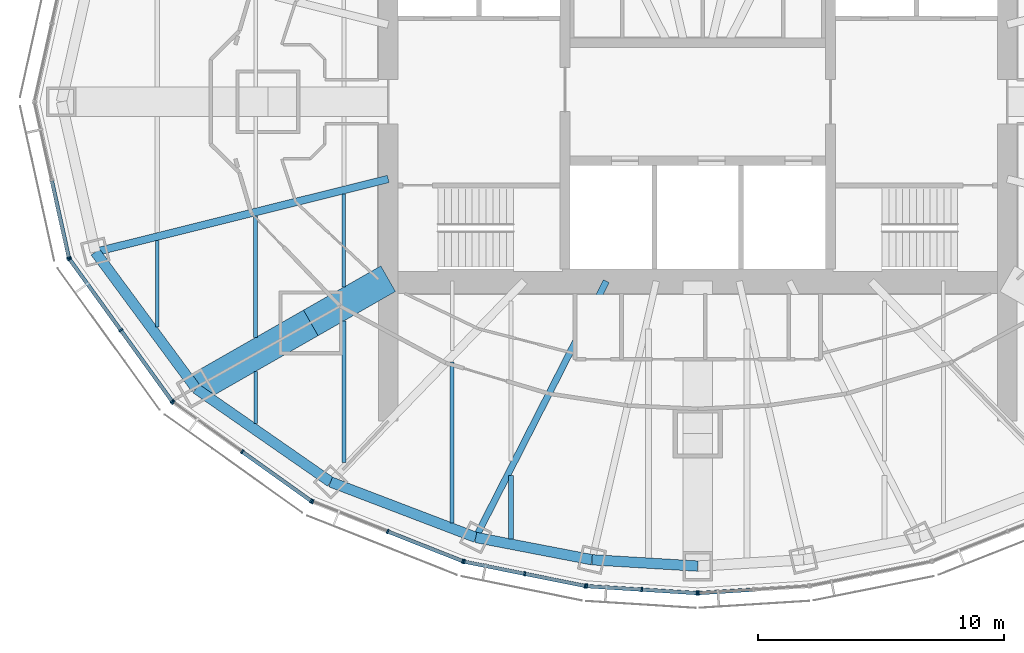
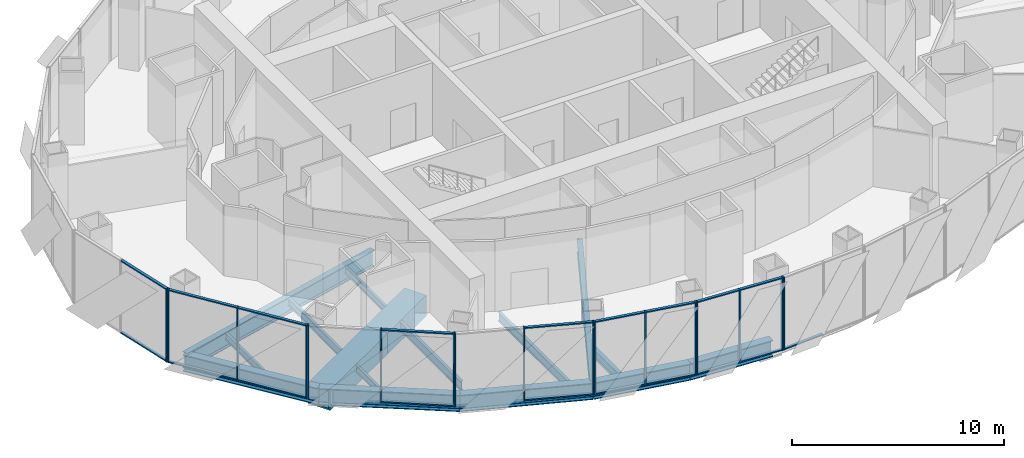
# One storey, part 2 of 17: 36 members, 16 beams, 7 elements without a shape of their own.
"""IFC4 building model written with IfcOpenShell, lengths in metres."""

from ifc_helpers import new_model, si_unit, direction, frame, origin, origin_2d, place, context, subcontext, project, spatial, rectangle, hollow_rectangle, i_section, extrude, material, material_profile, profile_set, type_object, element, aggregate, save


model = new_model("IFC4")

# Units and contexts
model_context = context("Model", 3, precision=1e-05, world=origin(), true_north=direction((0.0, 1.0)))
body_context = subcontext(model_context, "Body", "Model", "MODEL_VIEW")
ifc_project = project(units=[si_unit("LENGTHUNIT", "METRE"), si_unit("AREAUNIT", "SQUARE_METRE"), si_unit("VOLUMEUNIT", "CUBIC_METRE"), si_unit("PLANEANGLEUNIT", "RADIAN"), si_unit("MASSUNIT", "GRAM", prefix="KILO")], contexts=[model_context])

# Site, building, storey
site_placement = place(None, origin())
site = spatial("IfcSite", under=ifc_project, at=site_placement, CompositionType="ELEMENT")
building_placement = place(site_placement, origin())
building = spatial("IfcBuilding", under=site, at=building_placement, Name="Lantaw Convention Tower", CompositionType="ELEMENT")
storey_placement = place(building_placement, frame((0.0, 0.0, 203.199951171875)))
storey = spatial("IfcBuildingStorey", under=building, at=storey_placement, Name="L47", CompositionType="ELEMENT", Elevation=203.199951171875)

# Beams
ifc_material_1 = material(Name="Steel ASTM A992", Category="steel")
ifc_material_profile_1 = material_profile(ifc_material_1, i_section(OverallWidth=0.424072265625, OverallDepth=0.947509765625, WebThickness=0.02392578125, FlangeThickness=0.042724609375, FilletRadius=0.012451171875, at=origin_2d()), Name="W36X302")
ifc_profile_set_1 = profile_set([ifc_material_profile_1], Name="Steel ASTM A992")
beam_type_1 = type_object("IfcBeamType", Name="Beam BC W36X302", PredefinedType="SPANDREL", material=ifc_profile_set_1)
beam_1_placement = place(storey_placement, frame((-24.52197265625, -6.114013671875, -0.623779296875), z_axis=(0.593639188853, -0.804731329984, 0.0), x_axis=(0.804731329984, 0.593639188853, 0.0)))
element("IfcBeam", 1, at=beam_1_placement, inside=storey, type_object=beam_type_1, Name="Belt truss chord 14", PredefinedType="SPANDREL", context=body_context, shape_type="SweptSolid", body=[
    extrude(i_section(OverallWidth=0.424072265625, OverallDepth=0.947509765625, WebThickness=0.02392578125, FlangeThickness=0.042724609375, FilletRadius=0.012451171875, at=origin_2d()), origin(), (0.0, 0.0, 1.0), 6.904541015625),
])
beam_2_placement = place(storey_placement, frame((-20.423095703125, -11.67041015625, -0.623779296875), z_axis=(0.82135329406, -0.570419815869, 0.0), x_axis=(0.570419815869, 0.82135329406, 0.0)))
element("IfcBeam", 2, at=beam_2_placement, inside=storey, type_object=beam_type_1, Name="Belt truss chord 15", PredefinedType="SPANDREL", context=body_context, shape_type="SweptSolid", body=[
    extrude(i_section(OverallWidth=0.424072265625, OverallDepth=0.947509765625, WebThickness=0.02392578125, FlangeThickness=0.042724609375, FilletRadius=0.012451171875, at=origin_2d()), origin(), (0.0, 0.0, 1.0), 6.67041015625),
])
beam_3_placement = place(storey_placement, frame((-14.9443359375, -15.475341796875, -0.623779296875), z_axis=(0.934234988, -0.356658081637, 0.0), x_axis=(0.356658081637, 0.934234988, 0.0)))
element("IfcBeam", 3, at=beam_3_placement, inside=storey, type_object=beam_type_1, Name="Belt truss chord 16", PredefinedType="SPANDREL", context=body_context, shape_type="SweptSolid", body=[
    extrude(i_section(OverallWidth=0.424072265625, OverallDepth=0.947509765625, WebThickness=0.02392578125, FlangeThickness=0.042724609375, FilletRadius=0.012451171875, at=origin_2d()), origin(), (0.0, 0.0, 1.0), 6.32568359375),
])
beam_4_placement = place(storey_placement, frame((-9.03466796875, -17.7314453125, -0.623779296875), z_axis=(0.981972091702, -0.189025953556, 0.0), x_axis=(0.189025953556, 0.981972091702, 0.0)))
element("IfcBeam", 4, at=beam_4_placement, inside=storey, type_object=beam_type_1, Name="Belt truss chord 17", PredefinedType="SPANDREL", context=body_context, shape_type="SweptSolid", body=[
    extrude(i_section(OverallWidth=0.424072265625, OverallDepth=0.947509765625, WebThickness=0.02392578125, FlangeThickness=0.042724609375, FilletRadius=0.012451171875, at=origin_2d()), origin(), (0.0, 0.0, 1.0), 4.817626953125),
])
beam_5_placement = place(storey_placement, frame((-4.303955078125, -18.64208984375, -0.623779296875), z_axis=(0.998210730897, -0.059794119452, 0.0), x_axis=(0.059794119452, 0.998210730897, 0.0)))
element("IfcBeam", 5, at=beam_5_placement, inside=storey, type_object=beam_type_1, Name="Belt truss chord 18", PredefinedType="SPANDREL", context=body_context, shape_type="SweptSolid", body=[
    extrude(i_section(OverallWidth=0.424072265625, OverallDepth=0.947509765625, WebThickness=0.02392578125, FlangeThickness=0.042724609375, FilletRadius=0.012451171875, at=origin_2d()), origin(), (0.0, 0.0, 1.0), 4.311767578125),
])
ifc_material_2 = material(Name="Steel EN 10025-3 S460N", Category="steel")
ifc_material_profile_2 = material_profile(ifc_material_2, hollow_rectangle(XDim=1.199951171875, YDim=1.199951171875, WallThickness=0.10009765625, at=origin_2d()), Name="BOX1200X100")
ifc_profile_set_2 = profile_set([ifc_material_profile_2], Name="Steel EN 10025-3 S460N")
beam_type_2 = type_object("IfcBeamType", Name="Beam G BOX1200X100", PredefinedType="BEAM", material=ifc_profile_set_2)
beam_6_placement = place(storey_placement, frame((-15.75, -9.0, -0.75), z_axis=(-0.868237559289, -0.496148708192, 0.0), x_axis=(0.496148708192, -0.868237559289, 0.0)))
element("IfcBeam", 6, at=beam_6_placement, inside=storey, type_object=beam_type_2, Name="Floor girder on ray 15", PredefinedType="BEAM", context=body_context, shape_type="SweptSolid", body=[
    extrude(hollow_rectangle(XDim=1.199951171875, YDim=1.199951171875, WallThickness=0.10009765625, at=origin_2d()), origin(), (0.0, 0.0, 1.0), 5.38232421875),
])
ifc_material_profile_3 = material_profile(ifc_material_1, i_section(OverallWidth=0.2666015625, OverallDepth=0.7568359375, WebThickness=0.013916015625, FlangeThickness=0.019287109375, FilletRadius=0.0126953125, at=origin_2d()), Name="W30X108")
ifc_profile_set_3 = profile_set([ifc_material_profile_3], Name="Steel ASTM A992")
beam_type_3 = type_object("IfcBeamType", Name="Beam G W30X108", PredefinedType="BEAM", material=ifc_profile_set_3)
beam_7_placement = place(storey_placement, frame((-3.719482421875, -7.300048828125, -0.5283203125), z_axis=(-0.4539988787, -0.891002254845, 0.0), x_axis=(0.891002254845, -0.4539988787, 0.0)))
element("IfcBeam", 7, at=beam_7_placement, inside=storey, type_object=beam_type_3, Name="Floor girder on ray 17", PredefinedType="BEAM", context=body_context, shape_type="SweptSolid", body=[
    extrude(i_section(OverallWidth=0.2666015625, OverallDepth=0.7568359375, WebThickness=0.013916015625, FlangeThickness=0.019287109375, FilletRadius=0.0126953125, at=origin_2d()), origin(), (0.0, 0.0, 1.0), 11.70751953125),
])
ifc_material_profile_4 = material_profile(ifc_material_1, i_section(OverallWidth=0.307373046875, OverallDepth=0.9423828125, WebThickness=0.022216796875, FlangeThickness=0.039794921875, FilletRadius=0.0126953125, at=origin_2d()), Name="W36X232")
ifc_profile_set_4 = profile_set([ifc_material_profile_4], Name="Steel ASTM A992")
beam_type_4 = type_object("IfcBeamType", Name="Beam G W36X232", PredefinedType="BEAM", material=ifc_profile_set_4)
beam_8_placement = place(storey_placement, frame((-12.60009765625, -3.1416015625, -0.62109375), z_axis=(-0.970296589314, -0.241918434119, 0.0), x_axis=(0.241918434119, -0.970296589314, 0.0)))
element("IfcBeam", 8, at=beam_8_placement, inside=storey, type_object=beam_type_4, Name="Floor girder on ray 14", PredefinedType="BEAM", context=body_context, shape_type="SweptSolid", body=[
    extrude(i_section(OverallWidth=0.307373046875, OverallDepth=0.9423828125, WebThickness=0.022216796875, FlangeThickness=0.039794921875, FilletRadius=0.0126953125, at=origin_2d()), origin(), (0.0, 0.0, 1.0), 12.286865234375),
])
ifc_material_profile_5 = material_profile(ifc_material_1, i_section(OverallWidth=0.140380859375, OverallDepth=0.40380859375, WebThickness=0.007080078125, FlangeThickness=0.01123046875, FilletRadius=0.01025390625, at=origin_2d()), Name="W16X31")
ifc_profile_set_5 = profile_set([ifc_material_profile_5], Name="Steel ASTM A992")
beam_type_5 = type_object("IfcBeamType", Name="Beam J W16X31", PredefinedType="JOIST", material=ifc_profile_set_5)
beam_9_placement = place(storey_placement, frame((-22.0, -9.175537109375, -0.351806640625), z_axis=(0.0, 1.0, 0.0), x_axis=(-1.0, 0.0, 0.0)))
element("IfcBeam", 9, at=beam_9_placement, inside=storey, type_object=beam_type_5, Name="Floor joist", PredefinedType="JOIST", context=body_context, shape_type="SweptSolid", body=[
    extrude(i_section(OverallWidth=0.140380859375, OverallDepth=0.40380859375, WebThickness=0.007080078125, FlangeThickness=0.01123046875, FilletRadius=0.01025390625, at=origin_2d()), origin(), (0.0, 0.0, 1.0), 3.531982421875),
])
beam_10_placement = place(storey_placement, frame((-18.0, -13.094970703125, -0.351806640625), z_axis=(0.0, 1.0, 0.0), x_axis=(-1.0, 0.0, 0.0)))
element("IfcBeam", 10, at=beam_10_placement, inside=storey, type_object=beam_type_5, Name="Floor joist", PredefinedType="JOIST", context=body_context, shape_type="SweptSolid", body=[
    extrude(i_section(OverallWidth=0.140380859375, OverallDepth=0.40380859375, WebThickness=0.007080078125, FlangeThickness=0.01123046875, FilletRadius=0.01025390625, at=origin_2d()), origin(), (0.0, 0.0, 1.0), 2.1181640625),
])
beam_11_placement = place(storey_placement, frame((-14.39990234375, -7.53759765625, -0.351806640625), z_axis=(0.0, 1.0, 0.0), x_axis=(-1.0, 0.0, 0.0)))
element("IfcBeam", 11, at=beam_11_placement, inside=storey, type_object=beam_type_5, Name="Floor joist", PredefinedType="JOIST", context=body_context, shape_type="SweptSolid", body=[
    extrude(i_section(OverallWidth=0.140380859375, OverallDepth=0.40380859375, WebThickness=0.007080078125, FlangeThickness=0.01123046875, FilletRadius=0.01025390625, at=origin_2d()), origin(), (0.0, 0.0, 1.0), 3.788818359375),
])
ifc_material_profile_6 = material_profile(ifc_material_1, i_section(OverallWidth=0.15234375, OverallDepth=0.449462890625, WebThickness=0.007568359375, FlangeThickness=0.0107421875, FilletRadius=0.01025390625, at=origin_2d()), Name="W18X35")
ifc_profile_set_6 = profile_set([ifc_material_profile_6], Name="Steel ASTM A992")
beam_type_6 = type_object("IfcBeamType", Name="Beam J W18X35", PredefinedType="JOIST", material=ifc_profile_set_6)
beam_12_placement = place(storey_placement, frame((-18.0, -9.5947265625, -0.374755859375), z_axis=(0.0, 1.0, 0.0), x_axis=(-1.0, 0.0, 0.0)))
element("IfcBeam", 12, at=beam_12_placement, inside=storey, type_object=beam_type_6, Name="Floor joist", PredefinedType="JOIST", context=body_context, shape_type="SweptSolid", body=[
    extrude(i_section(OverallWidth=0.15234375, OverallDepth=0.449462890625, WebThickness=0.007568359375, FlangeThickness=0.0107421875, FilletRadius=0.01025390625, at=origin_2d()), origin(), (0.0, 0.0, 1.0), 4.948486328125),
])
ifc_material_profile_7 = material_profile(ifc_material_1, i_section(OverallWidth=0.1650390625, OverallDepth=0.52587890625, WebThickness=0.0087890625, FlangeThickness=0.011474609375, FilletRadius=0.0126953125, at=origin_2d()), Name="W21X44")
ifc_profile_set_7 = profile_set([ifc_material_profile_7], Name="Steel ASTM A992")
beam_type_7 = type_object("IfcBeamType", Name="Beam J W21X44", PredefinedType="JOIST", material=ifc_profile_set_7)
beam_13_placement = place(storey_placement, frame((-14.39990234375, -14.67578125, -0.412841796875), z_axis=(0.0, 1.0, 0.0), x_axis=(-1.0, 0.0, 0.0)))
element("IfcBeam", 13, at=beam_13_placement, inside=storey, type_object=beam_type_7, Name="Floor joist", PredefinedType="JOIST", context=body_context, shape_type="SweptSolid", body=[
    extrude(i_section(OverallWidth=0.1650390625, OverallDepth=0.52587890625, WebThickness=0.0087890625, FlangeThickness=0.011474609375, FilletRadius=0.0126953125, at=origin_2d()), origin(), (0.0, 0.0, 1.0), 5.756103515625),
])
beam_14_placement = place(storey_placement, frame((-10.0, -17.135986328125, -0.412841796875), z_axis=(0.0, 1.0, 0.0), x_axis=(-1.0, 0.0, 0.0)))
element("IfcBeam", 14, at=beam_14_placement, inside=storey, type_object=beam_type_7, Name="Floor joist", PredefinedType="JOIST", context=body_context, shape_type="SweptSolid", body=[
    extrude(i_section(OverallWidth=0.1650390625, OverallDepth=0.52587890625, WebThickness=0.0087890625, FlangeThickness=0.011474609375, FilletRadius=0.0126953125, at=origin_2d()), origin(), (0.0, 0.0, 1.0), 6.544921875),
])
ifc_material_profile_8 = material_profile(ifc_material_1, i_section(OverallWidth=0.2099609375, OverallDepth=0.535888671875, WebThickness=0.010986328125, FlangeThickness=0.017333984375, FilletRadius=0.012939453125, at=origin_2d()), Name="W21X68")
ifc_profile_set_8 = profile_set([ifc_material_profile_8], Name="Steel ASTM A992")
beam_type_8 = type_object("IfcBeamType", Name="Beam J W21X68", PredefinedType="JOIST", material=ifc_profile_set_8)
beam_15_placement = place(storey_placement, frame((-7.60009765625, -17.791748046875, -0.41796875), z_axis=(0.0, 1.0, 0.0), x_axis=(-1.0, 0.0, 0.0)))
element("IfcBeam", 15, at=beam_15_placement, inside=storey, type_object=beam_type_8, Name="Floor joist", PredefinedType="JOIST", context=body_context, shape_type="SweptSolid", body=[
    extrude(i_section(OverallWidth=0.2099609375, OverallDepth=0.535888671875, WebThickness=0.010986328125, FlangeThickness=0.017333984375, FilletRadius=0.012939453125, at=origin_2d()), origin(), (0.0, 0.0, 1.0), 2.582275390625),
])
ifc_material_profile_9 = material_profile(ifc_material_2, hollow_rectangle(XDim=1.199951171875, YDim=1.199951171875, WallThickness=0.10009765625, at=origin_2d()), Name="BOX1200X100")
ifc_profile_set_9 = profile_set([ifc_material_profile_9], Name="Steel EN 10025-3 S460N")
beam_type_9 = type_object("IfcBeamType", Name="Beam OC BOX1200X100", PredefinedType="BEAM", material=ifc_profile_set_9)
beam_16_placement = place(storey_placement, frame((-12.60009765625, -7.199951171875, -0.75), z_axis=(-0.868230718294, -0.496160679428, 0.0), x_axis=(0.496160679428, -0.868230718294, 0.0)))
element("IfcBeam", 16, at=beam_16_placement, inside=storey, type_object=beam_type_9, Name="Outrigger chord on ray 15", PredefinedType="BEAM", context=body_context, shape_type="SweptSolid", body=[
    extrude(hollow_rectangle(XDim=1.199951171875, YDim=1.199951171875, WallThickness=0.10009765625, at=origin_2d()), origin(), (0.0, 0.0, 1.0), 3.6279296875),
])

# Curtain wall, member
ifc_material_3 = material(Name="Aluminium framed curtain wall", Category="aluminium")
curtain_wall_type = type_object("IfcCurtainWallType", Name="Office curtain wall high rise, pale aluminium", PredefinedType="USERDEFINED", material=ifc_material_3)
curtain_wall_1_placement = place(storey_placement, origin())
curtain_wall_1 = element("IfcCurtainWall", 17, at=curtain_wall_1_placement, inside=storey, type_object=curtain_wall_type, Name="Office curtain wall high rise, pale aluminium L47", ObjectType="UNITISED CURTAIN WALL", PredefinedType="USERDEFINED")
ifc_material_4 = material(Name="Aluminium 6063-T6", Category="aluminium")
ifc_material_profile_10 = material_profile(ifc_material_4, rectangle(XDim=0.179931640625, YDim=0.06494140625, at=origin_2d()), Name="CW-O2 mullion 65x180")
ifc_profile_set_10 = profile_set([ifc_material_profile_10], Name="Aluminium 6063-T6")
member_type_1 = type_object("IfcMemberType", Name="CW-O2 mullion 65x180", PredefinedType="MULLION", material=ifc_profile_set_10)
member_1_placement = place(storey_placement, frame((-25.596435546875, -6.348388671875, -0.14990234375), z_axis=(0.0, 0.0, 1.0), x_axis=(0.976417396437, 0.215891333626, 0.0)))
member_1 = element("IfcMember", 18, at=member_1_placement, type_object=member_type_1, Name="CW-O2 mullion 3", PredefinedType="MULLION", context=body_context, shape_type="SweptSolid", body=[
    extrude(rectangle(XDim=0.179931640625, YDim=0.06494140625, at=origin_2d()), origin(), (0.0, 0.0, 1.0), 4.199951171875),
])

# Curtain wall, members
curtain_wall_2_placement = place(storey_placement, origin())
curtain_wall_2 = element("IfcCurtainWall", 19, at=curtain_wall_2_placement, inside=storey, type_object=curtain_wall_type, Name="Office curtain wall high rise, pale aluminium L47", ObjectType="UNITISED CURTAIN WALL", PredefinedType="USERDEFINED")
member_2_placement = place(storey_placement, frame((-25.5703125, -6.406494140625, -0.14990234375), z_axis=(0.0, 0.0, 1.0), x_axis=(0.810919559405, 0.585157643865, 0.0)))
member_2 = element("IfcMember", 20, at=member_2_placement, type_object=member_type_1, Name="CW-O2 mullion 1", PredefinedType="MULLION", context=body_context, shape_type="SweptSolid", body=[
    extrude(rectangle(XDim=0.179931640625, YDim=0.06494140625, at=origin_2d()), origin(), (0.0, 0.0, 1.0), 4.199951171875),
])
member_3_placement = place(storey_placement, frame((-23.483642578125, -9.298095703125, -0.14990234375), z_axis=(0.0, 0.0, 1.0), x_axis=(0.810919559405, 0.585157643865, 0.0)))
member_3 = element("IfcMember", 21, at=member_3_placement, type_object=member_type_1, Name="CW-O2 mullion 2", PredefinedType="MULLION", context=body_context, shape_type="SweptSolid", body=[
    extrude(rectangle(XDim=0.179931640625, YDim=0.06494140625, at=origin_2d()), origin(), (0.0, 0.0, 1.0), 4.199951171875),
])
member_4_placement = place(storey_placement, frame((-21.397216796875, -12.189697265625, -0.14990234375), z_axis=(0.0, 0.0, 1.0), x_axis=(0.810919559405, 0.585157643865, 0.0)))
member_4 = element("IfcMember", 22, at=member_4_placement, type_object=member_type_1, Name="CW-O2 mullion 3", PredefinedType="MULLION", context=body_context, shape_type="SweptSolid", body=[
    extrude(rectangle(XDim=0.179931640625, YDim=0.06494140625, at=origin_2d()), origin(), (0.0, 0.0, 1.0), 4.199951171875),
])

curtain_wall_3_placement = place(storey_placement, origin())
curtain_wall_3 = element("IfcCurtainWall", 23, at=curtain_wall_3_placement, inside=storey, type_object=curtain_wall_type, Name="Office curtain wall high rise, pale aluminium L47", ObjectType="UNITISED CURTAIN WALL", PredefinedType="USERDEFINED")
member_5_placement = place(storey_placement, frame((-21.3515625, -12.23486328125, -0.14990234375), z_axis=(0.0, 0.0, 1.0), x_axis=(0.581323487281, 0.813672540482, 0.0)))
member_5 = element("IfcMember", 24, at=member_5_placement, type_object=member_type_1, Name="CW-O2 mullion 1", PredefinedType="MULLION", context=body_context, shape_type="SweptSolid", body=[
    extrude(rectangle(XDim=0.179931640625, YDim=0.06494140625, at=origin_2d()), origin(), (0.0, 0.0, 1.0), 4.199951171875),
])
member_6_placement = place(storey_placement, frame((-18.543212890625, -14.241455078125, -0.14990234375), z_axis=(0.0, 0.0, 1.0), x_axis=(0.581323487281, 0.813672540482, 0.0)))
member_6 = element("IfcMember", 25, at=member_6_placement, type_object=member_type_1, Name="CW-O2 mullion 2", PredefinedType="MULLION", context=body_context, shape_type="SweptSolid", body=[
    extrude(rectangle(XDim=0.179931640625, YDim=0.06494140625, at=origin_2d()), origin(), (0.0, 0.0, 1.0), 4.199951171875),
])
member_7_placement = place(storey_placement, frame((-15.73486328125, -16.247802734375, -0.14990234375), z_axis=(0.0, 0.0, 1.0), x_axis=(0.581323487281, 0.813672540482, 0.0)))
member_7 = element("IfcMember", 26, at=member_7_placement, type_object=member_type_1, Name="CW-O2 mullion 3", PredefinedType="MULLION", context=body_context, shape_type="SweptSolid", body=[
    extrude(rectangle(XDim=0.179931640625, YDim=0.06494140625, at=origin_2d()), origin(), (0.0, 0.0, 1.0), 4.199951171875),
])

curtain_wall_4_placement = place(storey_placement, origin())
curtain_wall_4 = element("IfcCurtainWall", 27, at=curtain_wall_4_placement, inside=storey, type_object=curtain_wall_type, Name="Office curtain wall high rise, pale aluminium L47", ObjectType="UNITISED CURTAIN WALL", PredefinedType="USERDEFINED")
member_8_placement = place(storey_placement, frame((-15.67822265625, -16.278564453125, -0.14990234375), z_axis=(0.0, 0.0, 1.0), x_axis=(0.368162315252, 0.929761533743, 0.0)))
member_8 = element("IfcMember", 28, at=member_8_placement, type_object=member_type_1, Name="CW-O2 mullion 1", PredefinedType="MULLION", context=body_context, shape_type="SweptSolid", body=[
    extrude(rectangle(XDim=0.179931640625, YDim=0.06494140625, at=origin_2d()), origin(), (0.0, 0.0, 1.0), 4.199951171875),
])
member_9_placement = place(storey_placement, frame((-12.621337890625, -17.4892578125, -0.14990234375), z_axis=(0.0, 0.0, 1.0), x_axis=(0.368162315252, 0.929761533743, 0.0)))
member_9 = element("IfcMember", 29, at=member_9_placement, type_object=member_type_1, Name="CW-O2 mullion 2", PredefinedType="MULLION", context=body_context, shape_type="SweptSolid", body=[
    extrude(rectangle(XDim=0.179931640625, YDim=0.06494140625, at=origin_2d()), origin(), (0.0, 0.0, 1.0), 4.199951171875),
])
member_10_placement = place(storey_placement, frame((-9.564208984375, -18.69970703125, -0.14990234375), z_axis=(0.0, 0.0, 1.0), x_axis=(0.368162315252, 0.929761533743, 0.0)))
member_10 = element("IfcMember", 30, at=member_10_placement, type_object=member_type_1, Name="CW-O2 mullion 3", PredefinedType="MULLION", context=body_context, shape_type="SweptSolid", body=[
    extrude(rectangle(XDim=0.179931640625, YDim=0.06494140625, at=origin_2d()), origin(), (0.0, 0.0, 1.0), 4.199951171875),
])

curtain_wall_5_placement = place(storey_placement, origin())
curtain_wall_5 = element("IfcCurtainWall", 31, at=curtain_wall_5_placement, inside=storey, type_object=curtain_wall_type, Name="Office curtain wall high rise, pale aluminium L47", ObjectType="UNITISED CURTAIN WALL", PredefinedType="USERDEFINED")
member_11_placement = place(storey_placement, frame((-9.502197265625, -18.718017578125, -0.14990234375), z_axis=(0.0, 0.0, 1.0), x_axis=(0.197183095987, 0.980366679695, 0.0)))
member_11 = element("IfcMember", 32, at=member_11_placement, type_object=member_type_1, Name="CW-O2 mullion 1", PredefinedType="MULLION", context=body_context, shape_type="SweptSolid", body=[
    extrude(rectangle(XDim=0.179931640625, YDim=0.06494140625, at=origin_2d()), origin(), (0.0, 0.0, 1.0), 4.199951171875),
])
member_12_placement = place(storey_placement, frame((-7.042724609375, -19.212646484375, -0.14990234375), z_axis=(0.0, 0.0, 1.0), x_axis=(0.197183095987, 0.980366679695, 0.0)))
member_12 = element("IfcMember", 33, at=member_12_placement, type_object=member_type_1, Name="CW-O2 mullion 2", PredefinedType="MULLION", context=body_context, shape_type="SweptSolid", body=[
    extrude(rectangle(XDim=0.179931640625, YDim=0.06494140625, at=origin_2d()), origin(), (0.0, 0.0, 1.0), 4.199951171875),
])
member_13_placement = place(storey_placement, frame((-4.583251953125, -19.70751953125, -0.14990234375), z_axis=(0.0, 0.0, 1.0), x_axis=(0.197183095987, 0.980366679695, 0.0)))
member_13 = element("IfcMember", 34, at=member_13_placement, type_object=member_type_1, Name="CW-O2 mullion 3", PredefinedType="MULLION", context=body_context, shape_type="SweptSolid", body=[
    extrude(rectangle(XDim=0.179931640625, YDim=0.06494140625, at=origin_2d()), origin(), (0.0, 0.0, 1.0), 4.199951171875),
])

curtain_wall_6_placement = place(storey_placement, origin())
curtain_wall_6 = element("IfcCurtainWall", 35, at=curtain_wall_6_placement, inside=storey, type_object=curtain_wall_type, Name="Office curtain wall high rise, pale aluminium L47", ObjectType="UNITISED CURTAIN WALL", PredefinedType="USERDEFINED")
member_14_placement = place(storey_placement, frame((-4.518798828125, -19.7158203125, -0.14990234375), z_axis=(0.0, 0.0, 1.0), x_axis=(0.062757983884, 0.998028774865, 0.0)))
member_14 = element("IfcMember", 36, at=member_14_placement, type_object=member_type_1, Name="CW-O2 mullion 1", PredefinedType="MULLION", context=body_context, shape_type="SweptSolid", body=[
    extrude(rectangle(XDim=0.179931640625, YDim=0.06494140625, at=origin_2d()), origin(), (0.0, 0.0, 1.0), 4.199951171875),
])
member_15_placement = place(storey_placement, frame((-2.275634765625, -19.85693359375, -0.14990234375), z_axis=(0.0, 0.0, 1.0), x_axis=(0.062757983884, 0.998028774865, 0.0)))
member_15 = element("IfcMember", 37, at=member_15_placement, type_object=member_type_1, Name="CW-O2 mullion 2", PredefinedType="MULLION", context=body_context, shape_type="SweptSolid", body=[
    extrude(rectangle(XDim=0.179931640625, YDim=0.06494140625, at=origin_2d()), origin(), (0.0, 0.0, 1.0), 4.199951171875),
])
member_16_placement = place(storey_placement, frame((-0.032470703125, -19.998046875, -0.14990234375), z_axis=(0.0, 0.0, 1.0), x_axis=(0.062757983884, 0.998028774865, 0.0)))
member_16 = element("IfcMember", 38, at=member_16_placement, type_object=member_type_1, Name="CW-O2 mullion 3", PredefinedType="MULLION", context=body_context, shape_type="SweptSolid", body=[
    extrude(rectangle(XDim=0.179931640625, YDim=0.06494140625, at=origin_2d()), origin(), (0.0, 0.0, 1.0), 4.199951171875),
])

# Curtain wall, member
curtain_wall_7_placement = place(storey_placement, origin())
curtain_wall_7 = element("IfcCurtainWall", 39, at=curtain_wall_7_placement, inside=storey, type_object=curtain_wall_type, Name="Office curtain wall high rise, pale aluminium L47", ObjectType="UNITISED CURTAIN WALL", PredefinedType="USERDEFINED")
member_17_placement = place(storey_placement, frame((0.032470703125, -19.998046875, -0.14990234375), z_axis=(0.0, 0.0, 1.0), x_axis=(-0.062757983884, 0.998028774865, 0.0)))
member_17 = element("IfcMember", 40, at=member_17_placement, type_object=member_type_1, Name="CW-O2 mullion 1", PredefinedType="MULLION", context=body_context, shape_type="SweptSolid", body=[
    extrude(rectangle(XDim=0.179931640625, YDim=0.06494140625, at=origin_2d()), origin(), (0.0, 0.0, 1.0), 4.199951171875),
])

# Member
ifc_material_profile_11 = material_profile(ifc_material_4, rectangle(XDim=0.14990234375, YDim=0.06494140625, at=origin_2d()), Name="CW-O2 transom 65x150")
ifc_profile_set_11 = profile_set([ifc_material_profile_11], Name="Aluminium 6063-T6")
member_type_2 = type_object("IfcMemberType", Name="CW-O2 transom 65x150", PredefinedType="USERDEFINED", material=ifc_profile_set_11)
member_18_placement = place(storey_placement, frame((-26.28759765625, -3.2216796875, -0.117431640625), z_axis=(0.215894607042, -0.976416672661, 0.0), x_axis=(0.976416672661, 0.215894607042, 0.0)))
member_18 = element("IfcMember", 41, at=member_18_placement, type_object=member_type_2, Name="CW-O2 transom 2.1", ObjectType="TRANSOM", PredefinedType="USERDEFINED", context=body_context, shape_type="SweptSolid", body=[
    extrude(rectangle(XDim=0.14990234375, YDim=0.06494140625, at=origin_2d()), origin(), (0.0, 0.0, 1.0), 3.169677734375),
])

member_19_placement = place(storey_placement, frame((-26.28759765625, -3.2216796875, 4.017578125), z_axis=(0.215894607042, -0.976416672661, 0.0), x_axis=(0.976416672661, 0.215894607042, 0.0)))
member_19 = element("IfcMember", 42, at=member_19_placement, type_object=member_type_2, Name="CW-O2 transom 2.2", ObjectType="TRANSOM", PredefinedType="USERDEFINED", context=body_context, shape_type="SweptSolid", body=[
    extrude(rectangle(XDim=0.14990234375, YDim=0.06494140625, at=origin_2d()), origin(), (0.0, 0.0, 1.0), 3.169677734375),
])

aggregate(curtain_wall_1, [member_1, member_18, member_19])

member_20_placement = place(storey_placement, frame((-25.55126953125, -6.432861328125, -0.117431640625), z_axis=(0.585169685931, -0.810910869743, 0.0), x_axis=(0.810910869743, 0.585169685931, 0.0)))
member_20 = element("IfcMember", 43, at=member_20_placement, type_object=member_type_2, Name="CW-O2 transom 1.1", ObjectType="TRANSOM", PredefinedType="USERDEFINED", context=body_context, shape_type="SweptSolid", body=[
    extrude(rectangle(XDim=0.14990234375, YDim=0.06494140625, at=origin_2d()), origin(), (0.0, 0.0, 1.0), 3.500732421875),
])

member_21_placement = place(storey_placement, frame((-25.55126953125, -6.432861328125, 4.017578125), z_axis=(0.585169685931, -0.810910869743, 0.0), x_axis=(0.810910869743, 0.585169685931, 0.0)))
member_21 = element("IfcMember", 44, at=member_21_placement, type_object=member_type_2, Name="CW-O2 transom 1.2", ObjectType="TRANSOM", PredefinedType="USERDEFINED", context=body_context, shape_type="SweptSolid", body=[
    extrude(rectangle(XDim=0.14990234375, YDim=0.06494140625, at=origin_2d()), origin(), (0.0, 0.0, 1.0), 3.500732421875),
])

member_22_placement = place(storey_placement, frame((-23.464599609375, -9.324462890625, -0.117431640625), z_axis=(0.585123825205, -0.810943961798, 0.0), x_axis=(0.810943961798, 0.585123825205, 0.0)))
member_22 = element("IfcMember", 45, at=member_22_placement, type_object=member_type_2, Name="CW-O2 transom 2.1", ObjectType="TRANSOM", PredefinedType="USERDEFINED", context=body_context, shape_type="SweptSolid", body=[
    extrude(rectangle(XDim=0.14990234375, YDim=0.06494140625, at=origin_2d()), origin(), (0.0, 0.0, 1.0), 3.500732421875),
])

member_23_placement = place(storey_placement, frame((-23.464599609375, -9.324462890625, 4.017578125), z_axis=(0.585123825205, -0.810943961798, 0.0), x_axis=(0.810943961798, 0.585123825205, 0.0)))
member_23 = element("IfcMember", 46, at=member_23_placement, type_object=member_type_2, Name="CW-O2 transom 2.2", ObjectType="TRANSOM", PredefinedType="USERDEFINED", context=body_context, shape_type="SweptSolid", body=[
    extrude(rectangle(XDim=0.14990234375, YDim=0.06494140625, at=origin_2d()), origin(), (0.0, 0.0, 1.0), 3.500732421875),
])

aggregate(curtain_wall_2, [member_2, member_3, member_4, member_20, member_21, member_22, member_23])

member_24_placement = place(storey_placement, frame((-18.516845703125, -14.26025390625, -0.117431640625), z_axis=(0.813645780821, -0.581360940683, 0.0), x_axis=(0.581360940683, 0.813645780821, 0.0)))
member_24 = element("IfcMember", 47, at=member_24_placement, type_object=member_type_2, Name="CW-O2 transom 2.1", ObjectType="TRANSOM", PredefinedType="USERDEFINED", context=body_context, shape_type="SweptSolid", body=[
    extrude(rectangle(XDim=0.14990234375, YDim=0.06494140625, at=origin_2d()), origin(), (0.0, 0.0, 1.0), 3.386474609375),
])

member_25_placement = place(storey_placement, frame((-18.516845703125, -14.26025390625, 4.017578125), z_axis=(0.813645780821, -0.581360940683, 0.0), x_axis=(0.581360940683, 0.813645780821, 0.0)))
member_25 = element("IfcMember", 48, at=member_25_placement, type_object=member_type_2, Name="CW-O2 transom 2.2", ObjectType="TRANSOM", PredefinedType="USERDEFINED", context=body_context, shape_type="SweptSolid", body=[
    extrude(rectangle(XDim=0.14990234375, YDim=0.06494140625, at=origin_2d()), origin(), (0.0, 0.0, 1.0), 3.386474609375),
])

aggregate(curtain_wall_3, [member_5, member_6, member_7, member_24, member_25])

member_26_placement = place(storey_placement, frame((-12.591064453125, -17.501220703125, -0.117431640625), z_axis=(0.929766642946, -0.368149412149, 0.0), x_axis=(0.368149412149, 0.929766642946, 0.0)))
member_26 = element("IfcMember", 49, at=member_26_placement, type_object=member_type_2, Name="CW-O2 transom 2.1", ObjectType="TRANSOM", PredefinedType="USERDEFINED", context=body_context, shape_type="SweptSolid", body=[
    extrude(rectangle(XDim=0.14990234375, YDim=0.06494140625, at=origin_2d()), origin(), (0.0, 0.0, 1.0), 3.222900390625),
])

member_27_placement = place(storey_placement, frame((-12.591064453125, -17.501220703125, 4.017578125), z_axis=(0.929766642946, -0.368149412149, 0.0), x_axis=(0.368149412149, 0.929766642946, 0.0)))
member_27 = element("IfcMember", 50, at=member_27_placement, type_object=member_type_2, Name="CW-O2 transom 2.2", ObjectType="TRANSOM", PredefinedType="USERDEFINED", context=body_context, shape_type="SweptSolid", body=[
    extrude(rectangle(XDim=0.14990234375, YDim=0.06494140625, at=origin_2d()), origin(), (0.0, 0.0, 1.0), 3.222900390625),
])

aggregate(curtain_wall_4, [member_8, member_9, member_10, member_26, member_27])

member_28_placement = place(storey_placement, frame((-9.47021484375, -18.724365234375, -0.117431640625), z_axis=(0.98036104319, -0.197211117829, 0.0), x_axis=(0.197211117829, 0.98036104319, 0.0)))
member_28 = element("IfcMember", 51, at=member_28_placement, type_object=member_type_2, Name="CW-O2 transom 1.1", ObjectType="TRANSOM", PredefinedType="USERDEFINED", context=body_context, shape_type="SweptSolid", body=[
    extrude(rectangle(XDim=0.14990234375, YDim=0.06494140625, at=origin_2d()), origin(), (0.0, 0.0, 1.0), 2.44384765625),
])

member_29_placement = place(storey_placement, frame((-9.47021484375, -18.724365234375, 4.017578125), z_axis=(0.98036104319, -0.197211117829, 0.0), x_axis=(0.197211117829, 0.98036104319, 0.0)))
member_29 = element("IfcMember", 52, at=member_29_placement, type_object=member_type_2, Name="CW-O2 transom 1.2", ObjectType="TRANSOM", PredefinedType="USERDEFINED", context=body_context, shape_type="SweptSolid", body=[
    extrude(rectangle(XDim=0.14990234375, YDim=0.06494140625, at=origin_2d()), origin(), (0.0, 0.0, 1.0), 2.44384765625),
])

member_30_placement = place(storey_placement, frame((-7.0107421875, -19.21923828125, -0.117431640625), z_axis=(0.980380354178, -0.197115096178, 0.0), x_axis=(0.197115096178, 0.980380354178, 0.0)))
member_30 = element("IfcMember", 53, at=member_30_placement, type_object=member_type_2, Name="CW-O2 transom 2.1", ObjectType="TRANSOM", PredefinedType="USERDEFINED", context=body_context, shape_type="SweptSolid", body=[
    extrude(rectangle(XDim=0.14990234375, YDim=0.06494140625, at=origin_2d()), origin(), (0.0, 0.0, 1.0), 2.443603515625),
])

member_31_placement = place(storey_placement, frame((-7.0107421875, -19.21923828125, 4.017578125), z_axis=(0.980380354178, -0.197115096178, 0.0), x_axis=(0.197115096178, 0.980380354178, 0.0)))
member_31 = element("IfcMember", 54, at=member_31_placement, type_object=member_type_2, Name="CW-O2 transom 2.2", ObjectType="TRANSOM", PredefinedType="USERDEFINED", context=body_context, shape_type="SweptSolid", body=[
    extrude(rectangle(XDim=0.14990234375, YDim=0.06494140625, at=origin_2d()), origin(), (0.0, 0.0, 1.0), 2.443603515625),
])

aggregate(curtain_wall_5, [member_11, member_12, member_13, member_28, member_29, member_30, member_31])

member_32_placement = place(storey_placement, frame((-4.486328125, -19.7177734375, -0.117431640625), z_axis=(0.998021991509, -0.062865765437, 0.0), x_axis=(0.062865765437, 0.998021991509, 0.0)))
member_32 = element("IfcMember", 55, at=member_32_placement, type_object=member_type_2, Name="CW-O2 transom 1.1", ObjectType="TRANSOM", PredefinedType="USERDEFINED", context=body_context, shape_type="SweptSolid", body=[
    extrude(rectangle(XDim=0.14990234375, YDim=0.06494140625, at=origin_2d()), origin(), (0.0, 0.0, 1.0), 2.1826171875),
])

member_33_placement = place(storey_placement, frame((-4.486328125, -19.7177734375, 4.017578125), z_axis=(0.998021991509, -0.062865765437, 0.0), x_axis=(0.062865765437, 0.998021991509, 0.0)))
member_33 = element("IfcMember", 56, at=member_33_placement, type_object=member_type_2, Name="CW-O2 transom 1.2", ObjectType="TRANSOM", PredefinedType="USERDEFINED", context=body_context, shape_type="SweptSolid", body=[
    extrude(rectangle(XDim=0.14990234375, YDim=0.06494140625, at=origin_2d()), origin(), (0.0, 0.0, 1.0), 2.1826171875),
])

member_34_placement = place(storey_placement, frame((-2.2431640625, -19.85888671875, -0.117431640625), z_axis=(0.998029003644, -0.062754345555, 0.0), x_axis=(0.062754345555, 0.998029003644, 0.0)))
member_34 = element("IfcMember", 57, at=member_34_placement, type_object=member_type_2, Name="CW-O2 transom 2.1", ObjectType="TRANSOM", PredefinedType="USERDEFINED", context=body_context, shape_type="SweptSolid", body=[
    extrude(rectangle(XDim=0.14990234375, YDim=0.06494140625, at=origin_2d()), origin(), (0.0, 0.0, 1.0), 2.1826171875),
])

member_35_placement = place(storey_placement, frame((-2.2431640625, -19.85888671875, 4.017578125), z_axis=(0.998029003644, -0.062754345555, 0.0), x_axis=(0.062754345555, 0.998029003644, 0.0)))
member_35 = element("IfcMember", 58, at=member_35_placement, type_object=member_type_2, Name="CW-O2 transom 2.2", ObjectType="TRANSOM", PredefinedType="USERDEFINED", context=body_context, shape_type="SweptSolid", body=[
    extrude(rectangle(XDim=0.14990234375, YDim=0.06494140625, at=origin_2d()), origin(), (0.0, 0.0, 1.0), 2.1826171875),
])

aggregate(curtain_wall_6, [member_14, member_15, member_16, member_32, member_33, member_34, member_35])

member_36_placement = place(storey_placement, frame((0.06494140625, -19.995849609375, -0.117431640625), z_axis=(0.998029003644, 0.062754345555, 0.0), x_axis=(-0.062754345555, 0.998029003644, 0.0)))
member_36 = element("IfcMember", 59, at=member_36_placement, type_object=member_type_2, Name="CW-O2 transom 1.1", ObjectType="TRANSOM", PredefinedType="USERDEFINED", context=body_context, shape_type="SweptSolid", body=[
    extrude(rectangle(XDim=0.14990234375, YDim=0.06494140625, at=origin_2d()), origin(), (0.0, 0.0, 1.0), 2.1826171875),
])

aggregate(curtain_wall_7, [member_17, member_36])

save(model, "model.ifc")
